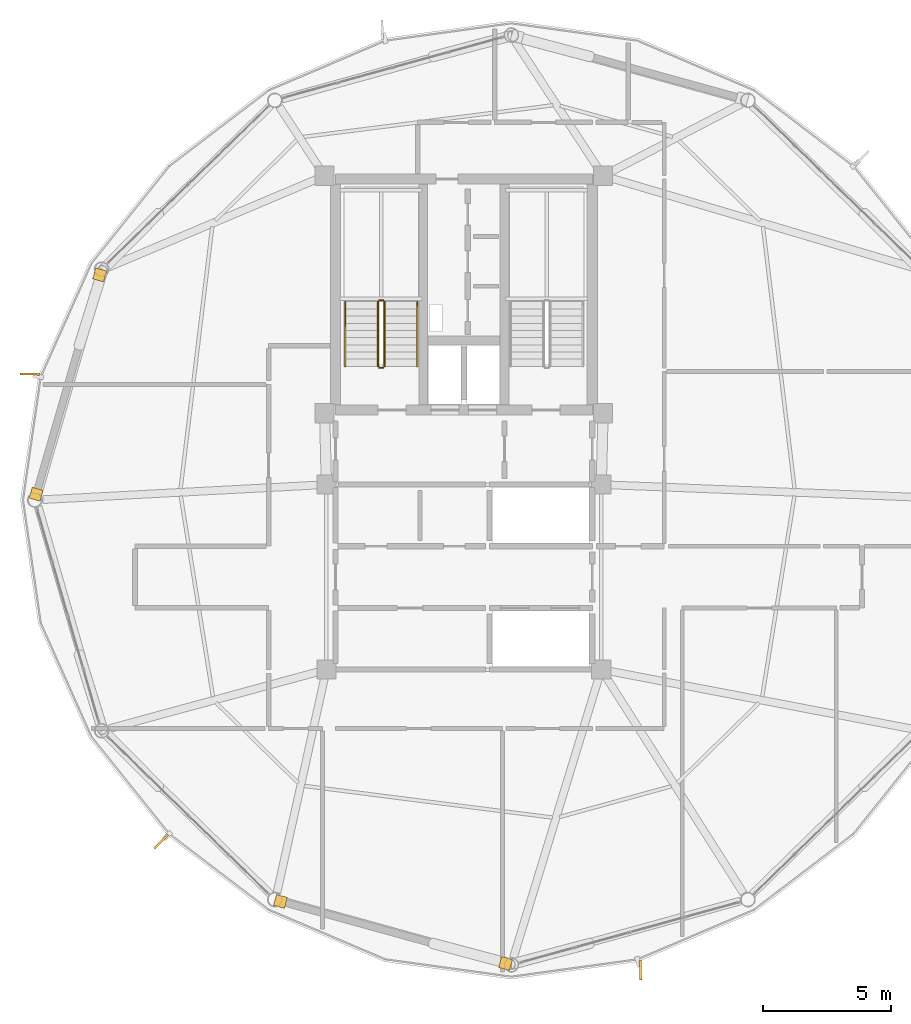
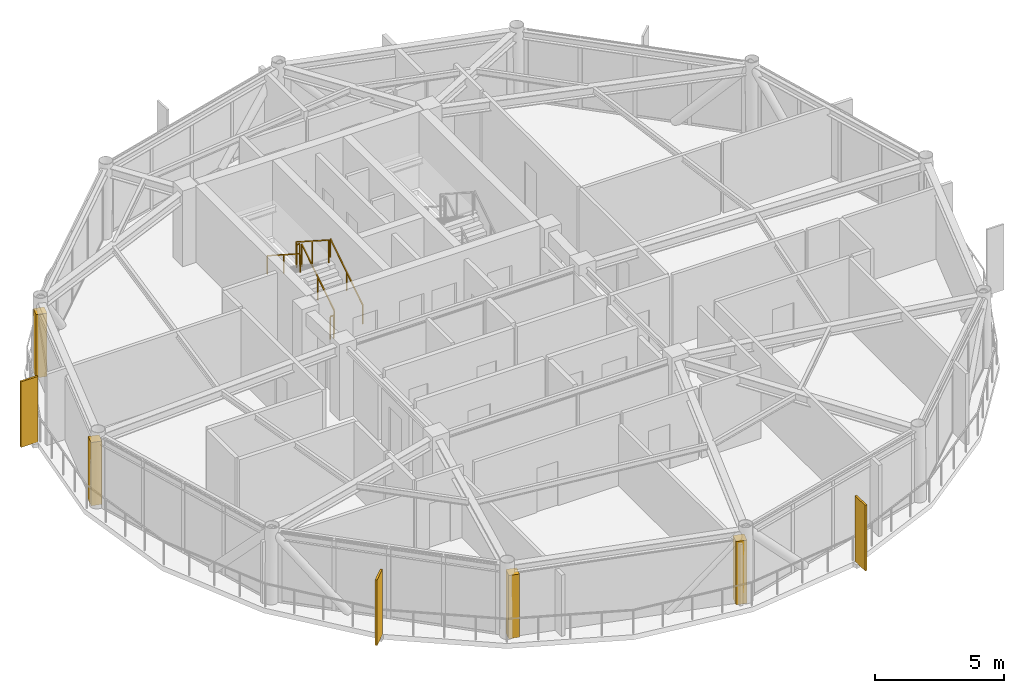
# One storey, part 25 of 27: 6 railings, 4 coverings, 3 shading devices.
"""IFC4 building model written with IfcOpenShell, lengths in metres."""

from ifc_helpers import new_model, si_unit, direction, frame, origin, origin_2d, place, context, subcontext, project, spatial, rectangle, extrude, source, transform, mapped, material, layer, layer_set, type_object, type_shapes, element, save


model = new_model("IFC4")

# Units and contexts
model_context = context("Model", 3, precision=1e-05, world=origin(), true_north=direction((0.0, 1.0)))
body_context = subcontext(model_context, "Body", "Model", "MODEL_VIEW")
ifc_project = project(units=[si_unit("LENGTHUNIT", "METRE"), si_unit("AREAUNIT", "SQUARE_METRE"), si_unit("VOLUMEUNIT", "CUBIC_METRE"), si_unit("PLANEANGLEUNIT", "RADIAN"), si_unit("MASSUNIT", "GRAM", prefix="KILO")], contexts=[model_context])

# Site, building, storey
site_placement = place(None, origin())
site = spatial("IfcSite", under=ifc_project, at=site_placement, CompositionType="ELEMENT")
building_placement = place(site_placement, origin())
building = spatial("IfcBuilding", under=site, at=building_placement, Name="Varnakorn Sky Granary", CompositionType="ELEMENT")
storey_placement = place(building_placement, frame((0.0, 0.0, 245.39990234375)))
storey = spatial("IfcBuildingStorey", under=building, at=storey_placement, Name="L62", CompositionType="ELEMENT", Elevation=245.39990234375)

# Railings
ifc_material_1 = material(Name="Brushed Stainless Steel 316", Category="steel")
railing_type_1 = type_object("IfcRailingType", Name="RL-STAIR-1100", PredefinedType="GUARDRAIL", material=ifc_material_1)
railing_1_placement = place(storey_placement, frame((-0.090087890625, 5.199951171875, 0.18017578125)))
element("IfcRailing", 1, at=railing_1_placement, inside=storey, type_object=railing_type_1, Name="L62 ST-1 stair guard 1", PredefinedType="GUARDRAIL", context=body_context, shape_type="SweptSolid", body=[
    extrude(rectangle(XDim=0.048095703125, YDim=0.048095703125, at=origin_2d()), frame((0.0, 0.0, 1.076171875), z_axis=(0.0, 0.841199657755, 0.540724639528), x_axis=(-1.0, 0.0, 0.0)), (0.0, 0.0, 1.0), 2.995849609375),
    extrude(rectangle(XDim=0.0419921875, YDim=0.0419921875, at=origin_2d()), origin(), (0.0, 0.0, 1.0), 1.048095703125),
    extrude(rectangle(XDim=0.0419921875, YDim=0.0419921875, at=origin_2d()), frame((0.0, 1.260009765625, 0.81005859375)), (0.0, 0.0, 1.0), 1.048095703125),
    extrude(rectangle(XDim=0.0419921875, YDim=0.0419921875, at=origin_2d()), frame((0.0, 2.52001953125, 1.619873046875)), (0.0, 0.0, 1.0), 1.048095703125),
])
railing_2_placement = place(storey_placement, frame((-0.139892578125, 7.77001953125, 1.800048828125)))
element("IfcRailing", 2, at=railing_2_placement, inside=storey, type_object=railing_type_1, Name="L62 ST-1 stair guard 2", PredefinedType="GUARDRAIL", context=body_context, shape_type="SweptSolid", body=[
    extrude(rectangle(XDim=0.048095703125, YDim=0.048095703125, at=origin_2d()), frame((0.0, 0.0, 1.076171875), z_axis=(-1.0, 0.0, 0.0), x_axis=(0.0, -1.0, 0.0)), (0.0, 0.0, 1.0), 0.150146484375),
    extrude(rectangle(XDim=0.0419921875, YDim=0.0419921875, at=origin_2d()), origin(), (0.0, 0.0, 1.0), 1.048095703125),
    extrude(rectangle(XDim=0.0419921875, YDim=0.0419921875, at=origin_2d()), frame((-0.150146484375, 0.0, 0.0)), (0.0, 0.0, 1.0), 1.048095703125),
])
railing_3_placement = place(storey_placement, frame((-0.340087890625, 7.719970703125, 1.97998046875)))
element("IfcRailing", 3, at=railing_3_placement, inside=storey, type_object=railing_type_1, Name="L62 ST-1 stair guard 3", PredefinedType="GUARDRAIL", context=body_context, shape_type="SweptSolid", body=[
    extrude(rectangle(XDim=0.048095703125, YDim=0.048095703125, at=origin_2d()), frame((0.0, 0.0, 1.076171875), z_axis=(0.0, -0.841162588446, 0.540782303519), x_axis=(1.0, 0.0, 0.0)), (0.0, 0.0, 1.0), 2.995849609375),
    extrude(rectangle(XDim=0.0419921875, YDim=0.0419921875, at=origin_2d()), origin(), (0.0, 0.0, 1.0), 1.048095703125),
    extrude(rectangle(XDim=0.0419921875, YDim=0.0419921875, at=origin_2d()), frame((0.0, -1.260009765625, 0.81005859375)), (0.0, 0.0, 1.0), 1.048095703125),
    extrude(rectangle(XDim=0.0419921875, YDim=0.0419921875, at=origin_2d()), frame((0.0, -2.52001953125, 1.6201171875)), (0.0, 0.0, 1.0), 1.048095703125),
])
railing_4_placement = place(storey_placement, frame((-0.139892578125, 5.14990234375, 0.0)))
element("IfcRailing", 4, at=railing_4_placement, inside=storey, type_object=railing_type_1, Name="L62 ST-1 stair guard 4", PredefinedType="GUARDRAIL", context=body_context, shape_type="SweptSolid", body=[
    extrude(rectangle(XDim=0.048095703125, YDim=0.048095703125, at=origin_2d()), frame((0.0, 0.0, 1.076171875), z_axis=(-1.0, 0.0, 0.0), x_axis=(0.0, -1.0, 0.0)), (0.0, 0.0, 1.0), 0.150146484375),
    extrude(rectangle(XDim=0.0419921875, YDim=0.0419921875, at=origin_2d()), origin(), (0.0, 0.0, 1.0), 1.048095703125),
    extrude(rectangle(XDim=0.0419921875, YDim=0.0419921875, at=origin_2d()), frame((-0.150146484375, 0.0, 0.0)), (0.0, 0.0, 1.0), 1.048095703125),
])
railing_type_2 = type_object("IfcRailingType", Name="RL-STAIR-920", PredefinedType="HANDRAIL", material=ifc_material_1)
railing_5_placement = place(storey_placement, frame((1.18994140625, 5.199951171875, 0.18017578125)))
element("IfcRailing", 5, at=railing_5_placement, inside=storey, type_object=railing_type_2, Name="L62 ST-1 stair handrail 1", PredefinedType="HANDRAIL", context=body_context, shape_type="SweptSolid", body=[
    extrude(rectangle(XDim=0.048095703125, YDim=0.048095703125, at=origin_2d()), frame((0.0, 0.0, 0.8759765625), z_axis=(0.0, 0.841199657755, 0.540724639528), x_axis=(-1.0, 0.0, 0.0)), (0.0, 0.0, 1.0), 2.995849609375),
    extrude(rectangle(XDim=0.0419921875, YDim=0.0419921875, at=origin_2d()), origin(), (0.0, 0.0, 1.0), 0.847900390625),
    extrude(rectangle(XDim=0.0419921875, YDim=0.0419921875, at=origin_2d()), frame((0.0, 1.260009765625, 0.81005859375)), (0.0, 0.0, 1.0), 0.847900390625),
    extrude(rectangle(XDim=0.0419921875, YDim=0.0419921875, at=origin_2d()), frame((0.0, 2.52001953125, 1.619873046875)), (0.0, 0.0, 1.0), 0.847900390625),
])
railing_6_placement = place(storey_placement, frame((-1.6201171875, 7.719970703125, 1.97998046875)))
element("IfcRailing", 6, at=railing_6_placement, inside=storey, type_object=railing_type_2, Name="L62 ST-1 stair handrail 2", PredefinedType="HANDRAIL", context=body_context, shape_type="SweptSolid", body=[
    extrude(rectangle(XDim=0.048095703125, YDim=0.048095703125, at=origin_2d()), frame((0.0, 0.0, 0.8759765625), z_axis=(0.0, -0.841162588446, 0.540782303519), x_axis=(1.0, 0.0, 0.0)), (0.0, 0.0, 1.0), 2.995849609375),
    extrude(rectangle(XDim=0.0419921875, YDim=0.0419921875, at=origin_2d()), origin(), (0.0, 0.0, 1.0), 0.847900390625),
    extrude(rectangle(XDim=0.0419921875, YDim=0.0419921875, at=origin_2d()), frame((0.0, -1.260009765625, 0.81005859375)), (0.0, 0.0, 1.0), 0.847900390625),
    extrude(rectangle(XDim=0.0419921875, YDim=0.0419921875, at=origin_2d()), frame((0.0, -2.52001953125, 1.6201171875)), (0.0, 0.0, 1.0), 0.847900390625),
])

# Coverings
ifc_material_2 = material(Name="Anodised Bronze Aluminium Alloy 6063-T6", Category="aluminium")
ifc_layer = layer(ifc_material_2, 0.050048828125, Name="Anodised Bronze Aluminium Alloy 6063-T6")
ifc_layer_set = layer_set([ifc_layer], Name="Anodised Bronze Aluminium Alloy 6063-T6")
covering_type = type_object("IfcCoveringType", Name="CV-CLAD-50", PredefinedType="CLADDING", material=ifc_layer_set)
shared_shape_1 = source(origin(), body_context, "Body", "SweptSolid", [
    extrude(rectangle(XDim=0.43994140625, YDim=0.43994140625, at=origin_2d()), origin(), (0.0, 0.0, 1.0), 2.989990234375),
])
type_shapes(covering_type, [shared_shape_1])
for number, where, z_axis, x_axis, name in (
    (7, (-13.647705078125, 0.22509765625, -0.02001953125), (0.0, 0.0, 1.0), (0.278320626641, 0.960488224179, 0.0), "Bronze Corner Pilaster Closure L62-P06-A"),
    (8, (-11.17431640625, 8.76025390625, -0.02001953125), (0.0, 0.0, 1.0), (0.278320626641, 0.960488224179, 0.0), "Bronze Corner Pilaster Closure L62-P06-B"),
    (9, (4.623779296875, -18.043701171875, -0.02001953125), (0.0, 0.0, 1.0), (-0.963956227226, 0.266060880235, 0.0), "Bronze Corner Pilaster Closure L62-P09-A"),
    (10, (-4.137939453125, -15.625732421875, -0.02001953125), (0.0, 0.0, 1.0), (-0.963956227226, 0.266060880235, 0.0), "Bronze Corner Pilaster Closure L62-P09-B"),
):
    element("IfcCovering", number, at=place(storey_placement, frame(where, z_axis=z_axis, x_axis=x_axis)), inside=storey, type_object=covering_type, Name=name, PredefinedType="CLADDING", context=body_context, shape_type="MappedRepresentation", body=[
        mapped(shared_shape_1, transform((0.0, 0.0, 0.0), x_axis=(1.0, 0.0, 0.0), y_axis=(0.0, 1.0, 0.0), z_axis=(0.0, 0.0, 1.0), scale=1.0)),
    ])

# Shading devices
shading_device_type = type_object("IfcShadingDeviceType", Name="SH-FIN-03", PredefinedType="USERDEFINED", material=ifc_material_2)
shared_shape_2 = source(origin(), body_context, "Body", "SweptSolid", [
    extrude(rectangle(XDim=0.0849609375, YDim=0.760009765625, at=origin_2d()), origin(), (0.0, 0.0, 1.0), 3.10009765625),
])
type_shapes(shading_device_type, [shared_shape_2])
for number, where, z_axis, x_axis, name in (
    (11, (-13.8974609375, 4.902099609375, -0.0400390625), (0.0, 0.0, 1.0), (-0.01224886832, -0.999924979798, 0.0), "Bronze Solar-Tracking Vertical Blade FIN L62-06"),
    (12, (-8.781982421875, -13.30078125, -0.0400390625), (0.0, 0.0, 1.0), (0.703258302307, -0.710934427522, 0.0), "Bronze Solar-Tracking Vertical Blade FIN L62-08"),
    (13, (9.8759765625, -18.304443359375, -0.0400390625), (0.0, 0.0, 1.0), (0.999611679614, 0.027865569768, 0.0), "Bronze Solar-Tracking Vertical Blade FIN L62-10"),
):
    element("IfcShadingDevice", number, at=place(storey_placement, frame(where, z_axis=z_axis, x_axis=x_axis)), inside=storey, type_object=shading_device_type, Name=name, ObjectType="FIN", PredefinedType="USERDEFINED", context=body_context, shape_type="MappedRepresentation", body=[
        mapped(shared_shape_2, transform((0.0, 0.0, 0.0), x_axis=(1.0, 0.0, 0.0), y_axis=(0.0, 1.0, 0.0), z_axis=(0.0, 0.0, 1.0), scale=1.0)),
    ])

save(model, "model.ifc")
